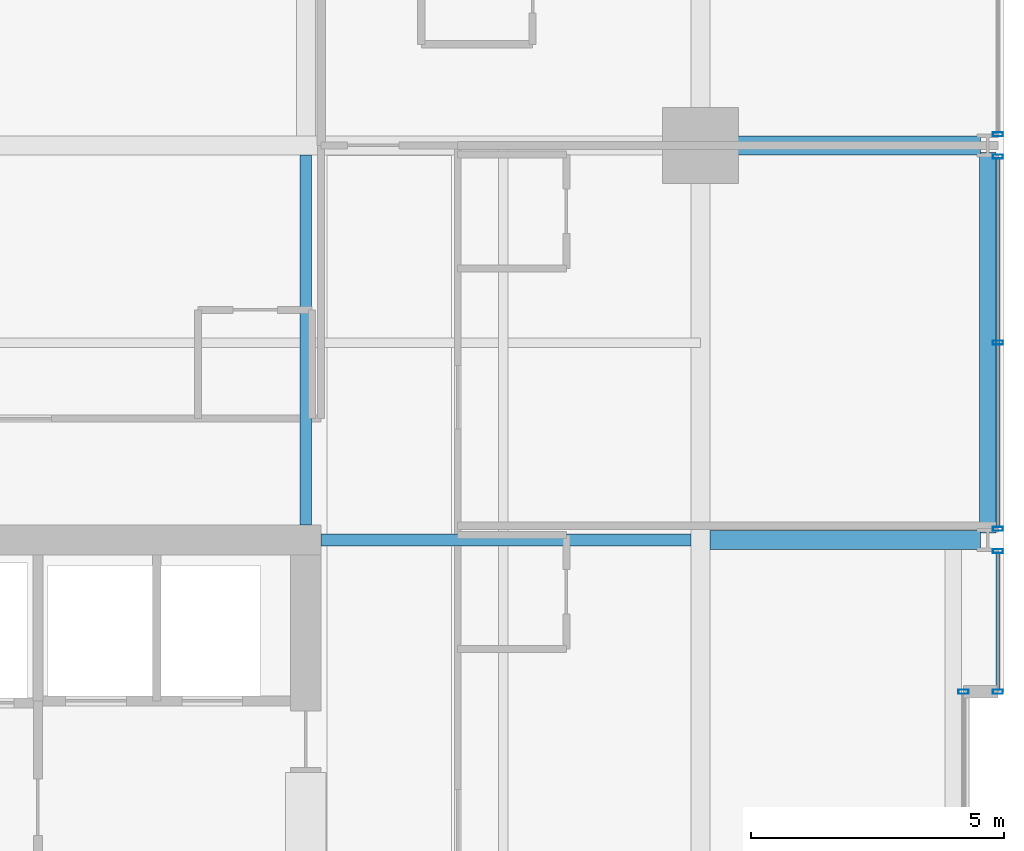
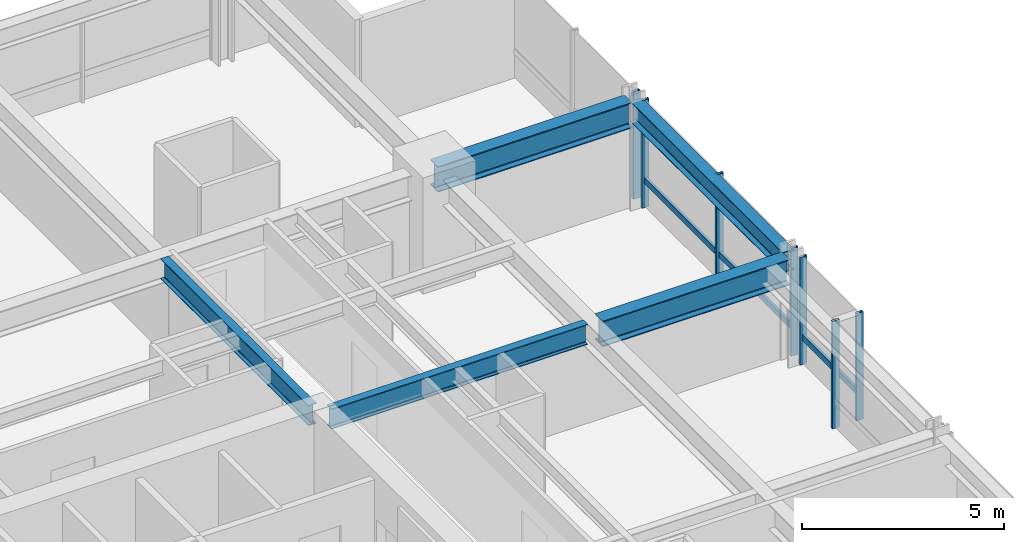
# One storey, part 23 of 34: 9 members, 5 beams, 4 elements without a shape of their own.
"""IFC4 building model written with IfcOpenShell, lengths in metres."""

from ifc_helpers import new_model, si_unit, direction, frame, origin, origin_2d, place, context, subcontext, project, spatial, hollow_rectangle, i_section, extrude, material, layer, layer_set, material_profile, profile_set, type_object, element, aggregate, save


model = new_model("IFC4")

# Units and contexts
model_context = context("Model", 3, precision=1e-05, world=origin(), true_north=direction((0.0, 1.0)))
body_context = subcontext(model_context, "Body", "Model", "MODEL_VIEW")
ifc_project = project(units=[si_unit("LENGTHUNIT", "METRE"), si_unit("AREAUNIT", "SQUARE_METRE"), si_unit("VOLUMEUNIT", "CUBIC_METRE"), si_unit("PLANEANGLEUNIT", "RADIAN"), si_unit("MASSUNIT", "GRAM", prefix="KILO")], contexts=[model_context])

# Site, building, storey
site_placement = place(None, origin())
site = spatial("IfcSite", under=ifc_project, at=site_placement, CompositionType="ELEMENT")
building_placement = place(site_placement, origin())
building = spatial("IfcBuilding", under=site, at=building_placement, Name="Drelvath Grand Hotel", CompositionType="ELEMENT")
storey_placement = place(building_placement, frame((0.0, 0.0, 109.300048828125)))
storey = spatial("IfcBuildingStorey", under=building, at=storey_placement, Name="L27", CompositionType="ELEMENT", Elevation=109.300048828125)

# Curtain wall, member
ifc_material_1 = material(Name="Champagne Bronze Anodised Aluminium Frame", Category="aluminium")
ifc_layer = layer(ifc_material_1, 0.199951171875)
ifc_layer_set = layer_set([ifc_layer], Name="Champagne Bronze Anodised Aluminium Frame")
curtain_wall_type = type_object("IfcCurtainWallType", Name="Stick Curtain Wall CW-03 Champagne Bronze Mid-Rise", PredefinedType="NOTDEFINED", material=ifc_layer_set)
curtain_wall_1_placement = place(storey_placement, origin())
curtain_wall_1 = element("IfcCurtainWall", 1, at=curtain_wall_1_placement, inside=storey, type_object=curtain_wall_type, Name="L27 CW-03 Curtain Wall CW03-L27-EN1", PredefinedType="NOTDEFINED")
ifc_material_profile_1 = material_profile(ifc_material_1, hollow_rectangle(XDim=0.074951171875, YDim=0.179931640625, WallThickness=0.0048828125, at=origin_2d()), Name="HSS180X75X5")
ifc_profile_set_1 = profile_set([ifc_material_profile_1], Name="Champagne Bronze Anodised Aluminium Frame")
member_type_1 = type_object("IfcMemberType", Name="Curtain Wall Horizontal Transom CW-03 HSS180X75X5", PredefinedType="USERDEFINED", material=ifc_profile_set_1)
member_1_placement = place(storey_placement, frame((22.080078125, 35.140380859375, 0.81005859375), z_axis=(0.0, -1.0, 0.0), x_axis=(1.0, 0.0, 0.0)))
member_1 = element("IfcMember", 2, at=member_1_placement, type_object=member_type_1, Name="CW03-L27-EN1 Sill Transom", ObjectType="TRANSOM", PredefinedType="USERDEFINED", context=body_context, shape_type="SweptSolid", body=[
    extrude(hollow_rectangle(XDim=0.074951171875, YDim=0.179931640625, WallThickness=0.0048828125, at=origin_2d()), origin(), (0.0, 0.0, 1.0), 2.700439453125),
])

curtain_wall_2_placement = place(storey_placement, origin())
curtain_wall_2 = element("IfcCurtainWall", 3, at=curtain_wall_2_placement, inside=storey, type_object=curtain_wall_type, Name="L27 CW-03 Curtain Wall CW03-L27-EN2", PredefinedType="NOTDEFINED")
member_2_placement = place(storey_placement, frame((22.080078125, 42.9404296875, 0.81005859375), z_axis=(0.0, -1.0, 0.0), x_axis=(1.0, 0.0, 0.0)))
member_2 = element("IfcMember", 4, at=member_2_placement, type_object=member_type_1, Name="CW03-L27-EN2 Sill Transom", ObjectType="TRANSOM", PredefinedType="USERDEFINED", context=body_context, shape_type="SweptSolid", body=[
    extrude(hollow_rectangle(XDim=0.074951171875, YDim=0.179931640625, WallThickness=0.0048828125, at=origin_2d()), origin(), (0.0, 0.0, 1.0), 7.28076171875),
])

# Member
ifc_material_profile_2 = material_profile(ifc_material_1, hollow_rectangle(XDim=0.080078125, YDim=0.199951171875, WallThickness=0.0048828125, at=origin_2d()), Name="HSS200X80X5")
ifc_profile_set_2 = profile_set([ifc_material_profile_2], Name="Champagne Bronze Anodised Aluminium Frame")
member_type_2 = type_object("IfcMemberType", Name="Curtain Wall Vertical Mullion CW-03 HSS200X80X5", PredefinedType="MULLION", material=ifc_profile_set_2)
member_3_placement = place(storey_placement, frame((22.080078125, 35.180419921875, 0.0), z_axis=(0.0, 0.0, 1.0), x_axis=(0.0, 1.0, 0.0)))
member_3 = element("IfcMember", 5, at=member_3_placement, type_object=member_type_2, Name="CW03-L27-EN1 Mullion 1", PredefinedType="MULLION", context=body_context, shape_type="SweptSolid", body=[
    extrude(hollow_rectangle(XDim=0.080078125, YDim=0.199951171875, WallThickness=0.0048828125, at=origin_2d()), origin(), (0.0, 0.0, 1.0), 3.239990234375),
])

member_4_placement = place(storey_placement, frame((22.080078125, 32.39990234375, 0.0), z_axis=(0.0, 0.0, 1.0), x_axis=(0.0, 1.0, 0.0)))
member_4 = element("IfcMember", 6, at=member_4_placement, type_object=member_type_2, Name="CW03-L27-EN1 Mullion 2", PredefinedType="MULLION", context=body_context, shape_type="SweptSolid", body=[
    extrude(hollow_rectangle(XDim=0.080078125, YDim=0.199951171875, WallThickness=0.0048828125, at=origin_2d()), origin(), (0.0, 0.0, 1.0), 3.239990234375),
])

aggregate(curtain_wall_1, [member_3, member_4, member_1])

member_5_placement = place(storey_placement, frame((22.080078125, 42.98046875, 0.0), z_axis=(0.0, 0.0, 1.0), x_axis=(0.0, 1.0, 0.0)))
member_5 = element("IfcMember", 7, at=member_5_placement, type_object=member_type_2, Name="CW03-L27-EN2 Mullion 1", PredefinedType="MULLION", context=body_context, shape_type="SweptSolid", body=[
    extrude(hollow_rectangle(XDim=0.080078125, YDim=0.199951171875, WallThickness=0.0048828125, at=origin_2d()), origin(), (0.0, 0.0, 1.0), 3.239990234375),
])

member_6_placement = place(storey_placement, frame((22.080078125, 39.300048828125, 0.0), z_axis=(0.0, 0.0, 1.0), x_axis=(0.0, 1.0, 0.0)))
member_6 = element("IfcMember", 8, at=member_6_placement, type_object=member_type_2, Name="CW03-L27-EN2 Mullion 2", PredefinedType="MULLION", context=body_context, shape_type="SweptSolid", body=[
    extrude(hollow_rectangle(XDim=0.080078125, YDim=0.199951171875, WallThickness=0.0048828125, at=origin_2d()), origin(), (0.0, 0.0, 1.0), 3.239990234375),
])

member_7_placement = place(storey_placement, frame((22.080078125, 35.61962890625, 0.0), z_axis=(0.0, 0.0, 1.0), x_axis=(0.0, 1.0, 0.0)))
member_7 = element("IfcMember", 9, at=member_7_placement, type_object=member_type_2, Name="CW03-L27-EN2 Mullion 3", PredefinedType="MULLION", context=body_context, shape_type="SweptSolid", body=[
    extrude(hollow_rectangle(XDim=0.080078125, YDim=0.199951171875, WallThickness=0.0048828125, at=origin_2d()), origin(), (0.0, 0.0, 1.0), 3.239990234375),
])

aggregate(curtain_wall_2, [member_5, member_6, member_7, member_2])

# Curtain wall, member
curtain_wall_3_placement = place(storey_placement, origin())
curtain_wall_3 = element("IfcCurtainWall", 10, at=curtain_wall_3_placement, inside=storey, type_object=curtain_wall_type, Name="L27 CW-03 Curtain Wall CW03-L27-EN3", PredefinedType="NOTDEFINED")
member_8_placement = place(storey_placement, frame((22.080078125, 43.419677734375, 0.0), z_axis=(0.0, 0.0, 1.0), x_axis=(0.0, 1.0, 0.0)))
member_8 = element("IfcMember", 11, at=member_8_placement, type_object=member_type_2, Name="CW03-L27-EN3 Mullion 3", PredefinedType="MULLION", context=body_context, shape_type="SweptSolid", body=[
    extrude(hollow_rectangle(XDim=0.080078125, YDim=0.199951171875, WallThickness=0.0048828125, at=origin_2d()), origin(), (0.0, 0.0, 1.0), 3.239990234375),
])
aggregate(curtain_wall_3, [member_8])

curtain_wall_4_placement = place(storey_placement, origin())
curtain_wall_4 = element("IfcCurtainWall", 12, at=curtain_wall_4_placement, inside=storey, type_object=curtain_wall_type, Name="L27 CW-03 Curtain Wall CW03-L27-EM2", PredefinedType="NOTDEFINED")
member_9_placement = place(storey_placement, frame((21.39990234375, 32.39990234375, 0.0), z_axis=(0.0, 0.0, 1.0), x_axis=(0.0, 1.0, 0.0)))
member_9 = element("IfcMember", 13, at=member_9_placement, type_object=member_type_2, Name="CW03-L27-EM2 Mullion 1", PredefinedType="MULLION", context=body_context, shape_type="SweptSolid", body=[
    extrude(hollow_rectangle(XDim=0.080078125, YDim=0.199951171875, WallThickness=0.0048828125, at=origin_2d()), origin(), (0.0, 0.0, 1.0), 3.239990234375),
])
aggregate(curtain_wall_4, [member_9])

# Beams
ifc_material_2 = material(Name="Steel ASTM A992 Gr 50", Category="steel")
ifc_material_profile_3 = material_profile(ifc_material_2, i_section(OverallWidth=0.323974609375, OverallDepth=0.611083984375, WebThickness=0.0126953125, FlangeThickness=0.01904296875, FilletRadius=0.02197265625, at=origin_2d()), Name="W24X104")
ifc_profile_set_3 = profile_set([ifc_material_profile_3], Name="Steel ASTM A992 Gr 50")
beam_type_1 = type_object("IfcBeamType", Name="Perimeter Spandrel Beam W24X104", PredefinedType="SPANDREL", material=ifc_profile_set_3)
beam_1_placement = place(storey_placement, frame((21.8798828125, 35.5400390625, 2.9345703125), z_axis=(0.0, 1.0, 0.0), x_axis=(-1.0, 0.0, 0.0)))
element("IfcBeam", 14, at=beam_1_placement, inside=storey, type_object=beam_type_1, Name="L27 Spandrel East N", PredefinedType="SPANDREL", context=body_context, shape_type="SweptSolid", body=[
    extrude(i_section(OverallWidth=0.323974609375, OverallDepth=0.611083984375, WebThickness=0.0126953125, FlangeThickness=0.01904296875, FilletRadius=0.02197265625, at=origin_2d()), origin(), (0.0, 0.0, 1.0), 7.52001953125),
])
ifc_material_profile_4 = material_profile(ifc_material_2, i_section(OverallWidth=0.228271484375, OverallDepth=0.607666015625, WebThickness=0.01123046875, FlangeThickness=0.017333984375, FilletRadius=0.02001953125, at=origin_2d()), Name="W24X76")
ifc_profile_set_4 = profile_set([ifc_material_profile_4], Name="Steel ASTM A992 Gr 50")
beam_type_2 = type_object("IfcBeamType", Name="Primary Floor Girder W24X76", PredefinedType="BEAM", material=ifc_profile_set_4)
for number, where, z_axis, x_axis, name in (
    (15, (8.699951171875, 35.39990234375, 2.93603515625), (1.0, 0.0, 0.0), (0.0, 1.0, 0.0), "L27 East Core Tie F"),
    (16, (8.39990234375, 35.699951171875, 2.93603515625), (0.0, 1.0, 0.0), (-1.0, 0.0, 0.0), "L27 North Core Tie 6"),
):
    element("IfcBeam", number, at=place(storey_placement, frame(where, z_axis=z_axis, x_axis=x_axis)), inside=storey, type_object=beam_type_2, Name=name, PredefinedType="BEAM", context=body_context, shape_type="SweptSolid", body=[
        extrude(i_section(OverallWidth=0.228271484375, OverallDepth=0.607666015625, WebThickness=0.01123046875, FlangeThickness=0.017333984375, FilletRadius=0.02001953125, at=origin_2d()), origin(), (0.0, 0.0, 1.0), 7.309814453125),
    ])
ifc_material_profile_5 = material_profile(ifc_material_2, i_section(OverallWidth=0.380615234375, OverallDepth=0.773193359375, WebThickness=0.0166015625, FlangeThickness=0.027099609375, FilletRadius=0.02490234375, at=origin_2d()), Name="W30X173")
ifc_profile_set_5 = profile_set([ifc_material_profile_5], Name="Steel ASTM A992 Gr 50")
beam_type_3 = type_object("IfcBeamType", Name="Primary Floor Girder W30X173", PredefinedType="BEAM", material=ifc_profile_set_5)
beam_2_placement = place(storey_placement, frame((16.199951171875, 43.199951171875, 2.853271484375), z_axis=(1.0, 0.0, 0.0), x_axis=(0.0, 1.0, 0.0)))
element("IfcBeam", 17, at=beam_2_placement, inside=storey, type_object=beam_type_3, Name="L27 East Grid Girder G", PredefinedType="BEAM", context=body_context, shape_type="SweptSolid", body=[
    extrude(i_section(OverallWidth=0.380615234375, OverallDepth=0.773193359375, WebThickness=0.0166015625, FlangeThickness=0.027099609375, FilletRadius=0.02490234375, at=origin_2d()), origin(), (0.0, 0.0, 1.0), 5.5400390625),
])
beam_3_placement = place(storey_placement, frame((16.390380859375, 35.39990234375, 2.853271484375), z_axis=(1.0, 0.0, 0.0), x_axis=(0.0, 1.0, 0.0)))
element("IfcBeam", 18, at=beam_3_placement, inside=storey, type_object=beam_type_3, Name="L27 East Wing Girder F", PredefinedType="BEAM", context=body_context, shape_type="SweptSolid", body=[
    extrude(i_section(OverallWidth=0.380615234375, OverallDepth=0.773193359375, WebThickness=0.0166015625, FlangeThickness=0.027099609375, FilletRadius=0.02490234375, at=origin_2d()), origin(), (0.0, 0.0, 1.0), 5.349609375),
])

save(model, "model.ifc")
